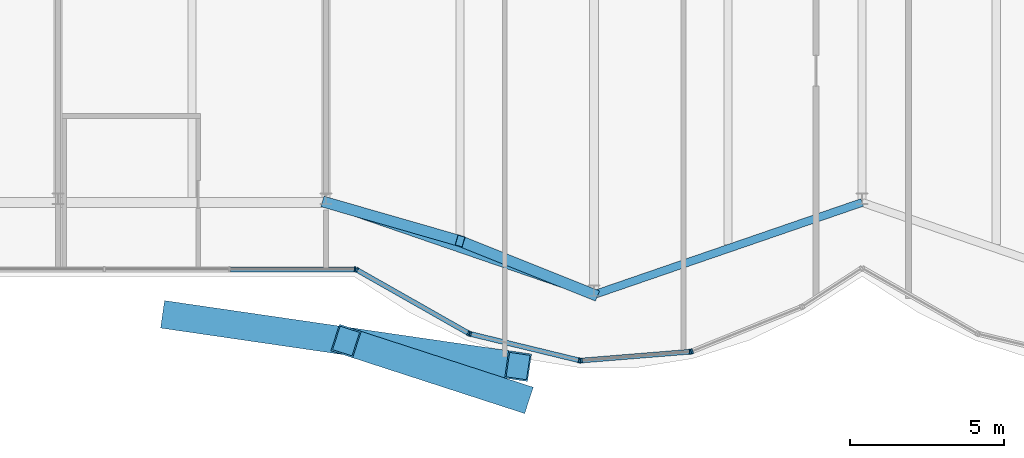
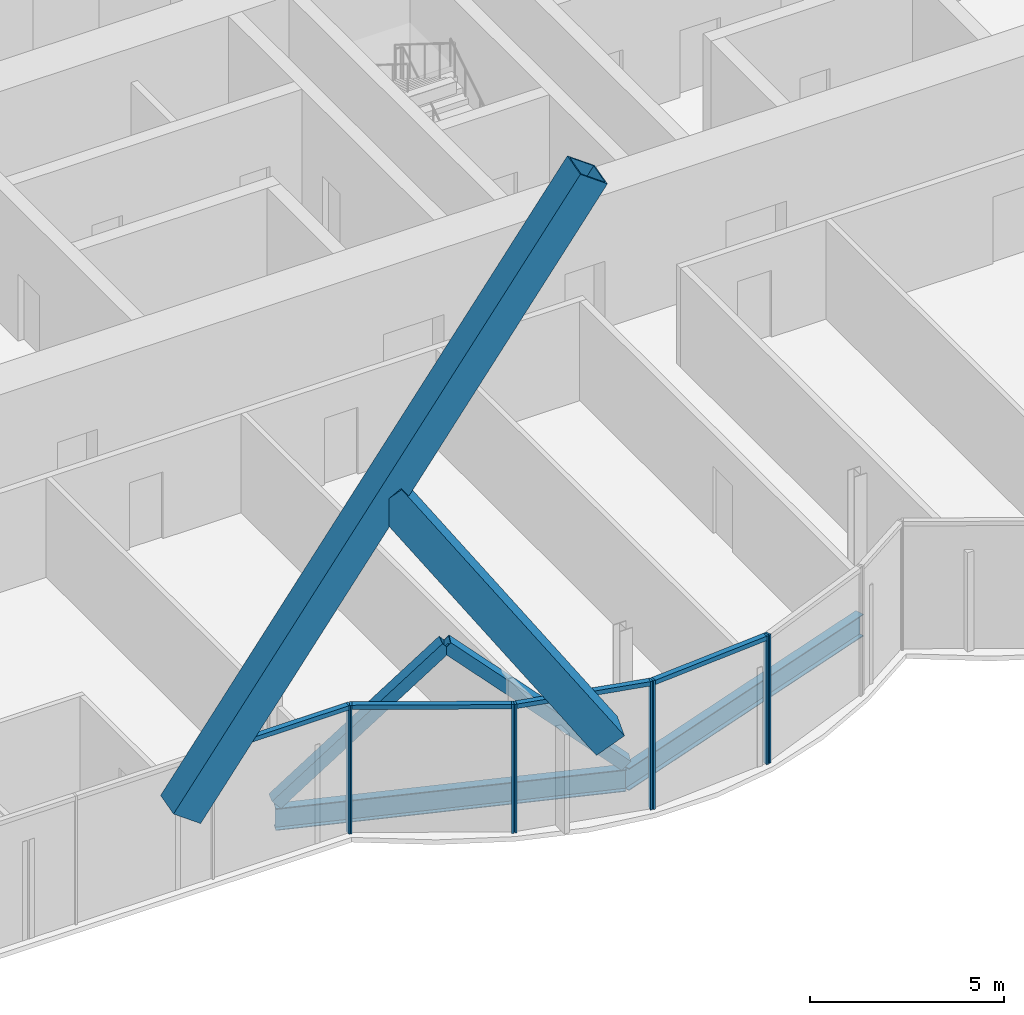
# One storey, part 6 of 22: 16 members, 2 beams, 2 elements without a shape of their own.
"""IFC4 building model written with IfcOpenShell, lengths in metres."""

from ifc_helpers import new_model, si_unit, direction, frame, origin, origin_2d, place, context, subcontext, project, spatial, rectangle, hollow_rectangle, i_section, extrude, material, material_profile, profile_set, type_object, element, aggregate, save


model = new_model("IFC4")

# Units and contexts
model_context = context("Model", 3, precision=1e-05, world=origin(), true_north=direction((0.0, 1.0)))
body_context = subcontext(model_context, "Body", "Model", "MODEL_VIEW")
ifc_project = project(units=[si_unit("LENGTHUNIT", "METRE"), si_unit("AREAUNIT", "SQUARE_METRE"), si_unit("VOLUMEUNIT", "CUBIC_METRE"), si_unit("PLANEANGLEUNIT", "RADIAN"), si_unit("MASSUNIT", "GRAM", prefix="KILO")], contexts=[model_context])

# Site, building, storey
site_placement = place(None, origin())
site = spatial("IfcSite", under=ifc_project, at=site_placement, CompositionType="ELEMENT")
building_placement = place(site_placement, origin())
building = spatial("IfcBuilding", under=site, at=building_placement, Name="Bicima Exchange Tower", CompositionType="ELEMENT")
storey_placement = place(building_placement, frame((0.0, 0.0, 254.0)))
storey = spatial("IfcBuildingStorey", under=building, at=storey_placement, Name="L57", CompositionType="ELEMENT", Elevation=254.0)

# Members
ifc_material_1 = material(Name="Steel ASTM A572 Gr 50", Category="steel")
ifc_material_profile_1 = material_profile(ifc_material_1, hollow_rectangle(XDim=0.89990234375, YDim=0.89990234375, WallThickness=0.050048828125, at=origin_2d()))
ifc_profile_set_1 = profile_set([ifc_material_profile_1], Name="Steel ASTM A572 Gr 50")
member_type_1 = type_object("IfcMemberType", Name="Exo mega brace BOX 900x900x50", PredefinedType="BRACE", material=ifc_profile_set_1)
member_1_placement = place(storey_placement, frame((-22.333251953125, -30.841064453125, 3.699951171875), z_axis=(0.542823561981, -0.079029736745, 0.836120135667), x_axis=(0.144071205715, 0.989567323472, 0.0)))
element("IfcMember", 1, at=member_1_placement, inside=storey, type_object=member_type_1, Name="Exo mega brace front", PredefinedType="BRACE", context=body_context, shape_type="SweptSolid", body=[
    extrude(hollow_rectangle(XDim=0.89990234375, YDim=0.89990234375, WallThickness=0.050048828125, at=origin_2d()), origin(), (0.0, 0.0, 1.0), 20.571044921875),
])
member_2_placement = place(storey_placement, frame((-11.166748046875, -33.466064453125, 3.699951171875), z_axis=(-0.536210386558, 0.174047387268, 0.825945475399), x_axis=(-0.308731502895, -0.951149230731, 0.0)))
element("IfcMember", 2, at=member_2_placement, inside=storey, type_object=member_type_1, Name="Exo mega brace front", PredefinedType="BRACE", context=body_context, shape_type="SweptSolid", body=[
    extrude(hollow_rectangle(XDim=0.89990234375, YDim=0.89990234375, WallThickness=0.050048828125, at=origin_2d()), origin(), (0.0, 0.0, 1.0), 10.412353515625),
])

# Beams
ifc_material_2 = material(Name="Steel ASTM A992 Gr 50", Category="steel")
ifc_material_profile_2 = material_profile(ifc_material_2, i_section(OverallWidth=0.256591796875, OverallDepth=0.693359375, WebThickness=0.014404296875, FlangeThickness=0.023681640625, at=origin_2d()))
ifc_profile_set_2 = profile_set([ifc_material_profile_2], Name="Steel ASTM A992 Gr 50")
beam_type = type_object("IfcBeamType", Name="Front girder W27x114", PredefinedType="BEAM", material=ifc_profile_set_2)
for number, where, z_axis, x_axis, name in (
    (3, (-17.39990234375, -27.156005859375, -0.49658203125), (0.945666456746, -0.325138359143, 0.0), (0.325138359143, 0.945666456746, 0.0), "Front girder"),
    (4, (-8.699951171875, -30.147216796875, -0.49658203125), (0.945666456746, 0.325138359143, 0.0), (-0.325138359143, 0.945666456746, 0.0), "Front girder"),
):
    element("IfcBeam", number, at=place(storey_placement, frame(where, z_axis=z_axis, x_axis=x_axis)), inside=storey, type_object=beam_type, Name=name, PredefinedType="BEAM", context=body_context, shape_type="SweptSolid", body=[
        extrude(i_section(OverallWidth=0.256591796875, OverallDepth=0.693359375, WebThickness=0.014404296875, FlangeThickness=0.023681640625, at=origin_2d()), origin(), (0.0, 0.0, 1.0), 9.19970703125),
    ])

# Curtain wall, member
ifc_material_3 = material(Name="Anodised bronze aluminium", Category="aluminium")
curtain_wall_type = type_object("IfcCurtainWallType", Name="Front glass wall", PredefinedType="NOTDEFINED", material=ifc_material_3)
curtain_wall_1_placement = place(storey_placement, origin())
curtain_wall_1 = element("IfcCurtainWall", 5, at=curtain_wall_1_placement, inside=storey, type_object=curtain_wall_type, Name="Front glass wall L57 run 5", PredefinedType="NOTDEFINED")
ifc_material_profile_3 = material_profile(ifc_material_3, rectangle(XDim=0.159912109375, YDim=0.06005859375, at=origin_2d()))
ifc_profile_set_3 = profile_set([ifc_material_profile_3], Name="Anodised bronze aluminium")
member_type_2 = type_object("IfcMemberType", Name="Front glass wall mullion 60 x 160", PredefinedType="MULLION", material=ifc_profile_set_3)
member_3_placement = place(storey_placement, frame((-16.462158203125, -29.325927734375, 0.0), z_axis=(0.0, 0.0, 1.0), x_axis=(0.0, 1.0, 0.0)))
member_3 = element("IfcMember", 6, at=member_3_placement, type_object=member_type_2, Name="Front glass wall mullion 5", PredefinedType="MULLION", context=body_context, shape_type="SweptSolid", body=[
    extrude(rectangle(XDim=0.159912109375, YDim=0.06005859375, at=origin_2d()), origin(), (0.0, 0.0, 1.0), 4.050048828125),
])

# Curtain wall, members
curtain_wall_2_placement = place(storey_placement, origin())
curtain_wall_2 = element("IfcCurtainWall", 7, at=curtain_wall_2_placement, inside=storey, type_object=curtain_wall_type, Name="Front glass wall L57 run 6", PredefinedType="NOTDEFINED")
member_4_placement = place(storey_placement, frame((-16.406005859375, -29.3408203125, 0.0), z_axis=(0.0, 0.0, 1.0), x_axis=(0.493395449343, 0.869805110681, 0.0)))
member_4 = element("IfcMember", 8, at=member_4_placement, type_object=member_type_2, Name="Front glass wall mullion 1", PredefinedType="MULLION", context=body_context, shape_type="SweptSolid", body=[
    extrude(rectangle(XDim=0.159912109375, YDim=0.06005859375, at=origin_2d()), origin(), (0.0, 0.0, 1.0), 4.050048828125),
])
member_5_placement = place(storey_placement, frame((-12.7734375, -31.4013671875, 0.0), z_axis=(0.0, 0.0, 1.0), x_axis=(0.493395449343, 0.869805110681, 0.0)))
member_5 = element("IfcMember", 9, at=member_5_placement, type_object=member_type_2, Name="Front glass wall mullion 2", PredefinedType="MULLION", context=body_context, shape_type="SweptSolid", body=[
    extrude(rectangle(XDim=0.159912109375, YDim=0.06005859375, at=origin_2d()), origin(), (0.0, 0.0, 1.0), 4.050048828125),
])
member_6_placement = place(storey_placement, frame((-12.718017578125, -31.42333984375, 0.0), z_axis=(0.0, 0.0, 1.0), x_axis=(0.235681529503, 0.971830343553, 0.0)))
member_6 = element("IfcMember", 10, at=member_6_placement, type_object=member_type_2, Name="Front glass wall mullion 1", PredefinedType="MULLION", context=body_context, shape_type="SweptSolid", body=[
    extrude(rectangle(XDim=0.159912109375, YDim=0.06005859375, at=origin_2d()), origin(), (0.0, 0.0, 1.0), 4.050048828125),
])
member_7_placement = place(storey_placement, frame((-9.177490234375, -32.281982421875, 0.0), z_axis=(0.0, 0.0, 1.0), x_axis=(0.235681529503, 0.971830343553, 0.0)))
member_7 = element("IfcMember", 11, at=member_7_placement, type_object=member_type_2, Name="Front glass wall mullion 2", PredefinedType="MULLION", context=body_context, shape_type="SweptSolid", body=[
    extrude(rectangle(XDim=0.159912109375, YDim=0.06005859375, at=origin_2d()), origin(), (0.0, 0.0, 1.0), 4.050048828125),
])
member_8_placement = place(storey_placement, frame((-9.118408203125, -32.28662109375, 0.0), z_axis=(0.0, 0.0, 1.0), x_axis=(-0.080588612633, 0.99674744821, 0.0)))
member_8 = element("IfcMember", 12, at=member_8_placement, type_object=member_type_2, Name="Front glass wall mullion 1", PredefinedType="MULLION", context=body_context, shape_type="SweptSolid", body=[
    extrude(rectangle(XDim=0.159912109375, YDim=0.06005859375, at=origin_2d()), origin(), (0.0, 0.0, 1.0), 4.050048828125),
])
member_9_placement = place(storey_placement, frame((-5.583984375, -32.000732421875, 0.0), z_axis=(0.0, 0.0, 1.0), x_axis=(-0.080588612633, 0.99674744821, 0.0)))
member_9 = element("IfcMember", 13, at=member_9_placement, type_object=member_type_2, Name="Front glass wall mullion 2", PredefinedType="MULLION", context=body_context, shape_type="SweptSolid", body=[
    extrude(rectangle(XDim=0.159912109375, YDim=0.06005859375, at=origin_2d()), origin(), (0.0, 0.0, 1.0), 4.050048828125),
])
member_10_placement = place(storey_placement, frame((-5.526123046875, -31.9873046875, 0.0), z_axis=(0.0, 0.0, 1.0), x_axis=(-0.374705304, 0.92714396679, 0.0)))
member_10 = element("IfcMember", 14, at=member_10_placement, type_object=member_type_2, Name="Front glass wall mullion 1", PredefinedType="MULLION", context=body_context, shape_type="SweptSolid", body=[
    extrude(rectangle(XDim=0.159912109375, YDim=0.06005859375, at=origin_2d()), origin(), (0.0, 0.0, 1.0), 4.050048828125),
])

# Member
ifc_material_profile_4 = material_profile(ifc_material_3, rectangle(XDim=0.159912109375, YDim=0.139892578125, at=origin_2d()))
ifc_profile_set_4 = profile_set([ifc_material_profile_4], Name="Anodised bronze aluminium")
member_type_3 = type_object("IfcMemberType", Name="Front glass wall transom 140 x 160", PredefinedType="USERDEFINED", material=ifc_profile_set_4)
member_11_placement = place(storey_placement, frame((-20.501708984375, -29.325927734375, 3.97998046875), z_axis=(1.0, 0.0, 0.0), x_axis=(0.0, 1.0, 0.0)))
member_11 = element("IfcMember", 15, at=member_11_placement, type_object=member_type_3, Name="Front glass wall transom 4.1", ObjectType="TRANSOM", PredefinedType="USERDEFINED", context=body_context, shape_type="SweptSolid", body=[
    extrude(rectangle(XDim=0.159912109375, YDim=0.139892578125, at=origin_2d()), origin(), (0.0, 0.0, 1.0), 4.009521484375),
])

aggregate(curtain_wall_1, [member_3, member_11])

member_12_placement = place(storey_placement, frame((-16.3798828125, -29.355712890625, 3.97998046875), z_axis=(0.869797371721, -0.49340909208, 0.0), x_axis=(0.49340909208, 0.869797371721, 0.0)))
member_12 = element("IfcMember", 16, at=member_12_placement, type_object=member_type_3, Name="Front glass wall transom 1.1", ObjectType="TRANSOM", PredefinedType="USERDEFINED", context=body_context, shape_type="SweptSolid", body=[
    extrude(rectangle(XDim=0.159912109375, YDim=0.139892578125, at=origin_2d()), origin(), (0.0, 0.0, 1.0), 4.1162109375),
])

member_13_placement = place(storey_placement, frame((-12.68896484375, -31.430419921875, 3.97998046875), z_axis=(0.971833557815, -0.235668275132, 0.0), x_axis=(0.235668275132, 0.971833557815, 0.0)))
member_13 = element("IfcMember", 17, at=member_13_placement, type_object=member_type_3, Name="Front glass wall transom 1.1", ObjectType="TRANSOM", PredefinedType="USERDEFINED", context=body_context, shape_type="SweptSolid", body=[
    extrude(rectangle(XDim=0.159912109375, YDim=0.139892578125, at=origin_2d()), origin(), (0.0, 0.0, 1.0), 3.583251953125),
])

member_14_placement = place(storey_placement, frame((-9.08837890625, -32.2841796875, 3.97998046875), z_axis=(0.9967456465, 0.080610893699, 0.0), x_axis=(-0.080610893699, 0.9967456465, 0.0)))
member_14 = element("IfcMember", 18, at=member_14_placement, type_object=member_type_3, Name="Front glass wall transom 1.1", ObjectType="TRANSOM", PredefinedType="USERDEFINED", context=body_context, shape_type="SweptSolid", body=[
    extrude(rectangle(XDim=0.159912109375, YDim=0.139892578125, at=origin_2d()), origin(), (0.0, 0.0, 1.0), 3.48583984375),
])

aggregate(curtain_wall_2, [member_4, member_5, member_12, member_6, member_7, member_13, member_8, member_9, member_14, member_10])

# Members
ifc_material_profile_5 = material_profile(ifc_material_1, hollow_rectangle(XDim=0.355712890625, YDim=0.355712890625, WallThickness=0.0146484375, at=origin_2d()))
ifc_profile_set_5 = profile_set([ifc_material_profile_5], Name="Steel ASTM A572 Gr 50")
member_type_4 = type_object("IfcMemberType", Name="Mega brace HSS14x14x5/8", PredefinedType="BRACE", material=ifc_profile_set_5)
member_15_placement = place(storey_placement, frame((-17.39990234375, -27.156005859375, 0.0), z_axis=(0.704463393318, -0.202676059614, 0.680186549657), x_axis=(0.27648739579, 0.961017544049, 0.0)))
element("IfcMember", 19, at=member_15_placement, inside=storey, type_object=member_type_4, Name="Mega brace front", PredefinedType="BRACE", context=body_context, shape_type="SweptSolid", body=[
    extrude(hollow_rectangle(XDim=0.355712890625, YDim=0.355712890625, WallThickness=0.0146484375, at=origin_2d()), origin(), (0.0, 0.0, 1.0), 6.1748046875),
])
member_16_placement = place(storey_placement, frame((-8.699951171875, -30.147216796875, 0.0), z_axis=(-0.691366198874, 0.276499917677, 0.667503239377), x_axis=(-0.3713367687, -0.928498252132, 0.0)))
element("IfcMember", 20, at=member_16_placement, inside=storey, type_object=member_type_4, Name="Mega brace front", PredefinedType="BRACE", context=body_context, shape_type="SweptSolid", body=[
    extrude(hollow_rectangle(XDim=0.355712890625, YDim=0.355712890625, WallThickness=0.0146484375, at=origin_2d()), origin(), (0.0, 0.0, 1.0), 6.2919921875),
])

save(model, "model.ifc")
